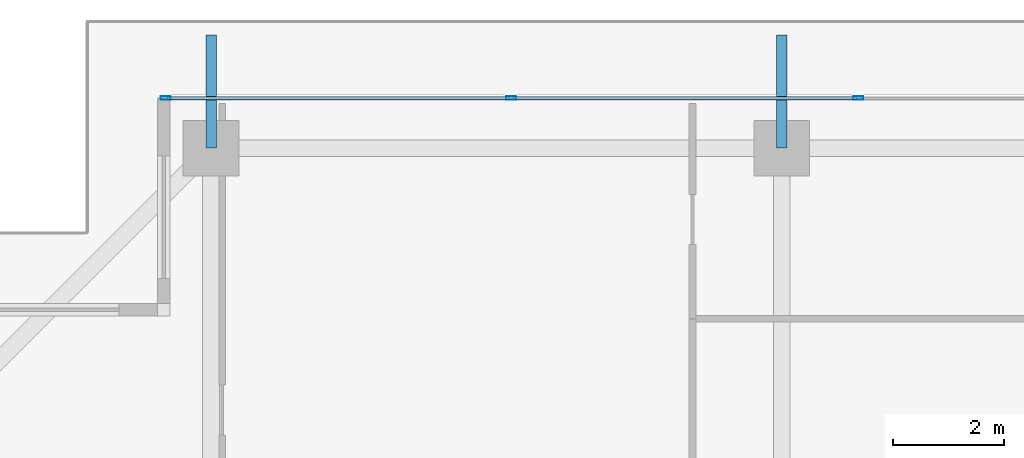
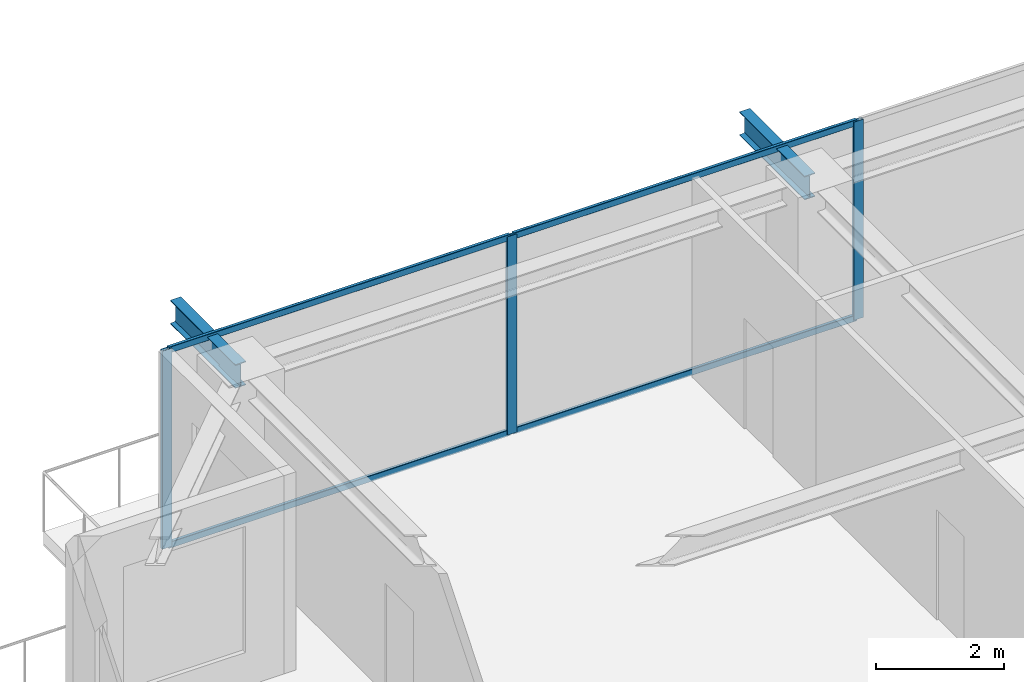
# One storey, part 23 of 42: 7 members, 2 beams, 1 element without a shape of its own.
"""IFC4 building model written with IfcOpenShell, lengths in metres."""

from ifc_helpers import new_model, si_unit, direction, frame, origin, origin_2d, place, context, subcontext, project, spatial, hollow_rectangle, i_section, extrude, source, transform, mapped, material, layer, layer_set, material_profile, profile_set, type_object, element, aggregate, save


model = new_model("IFC4")

# Units and contexts
model_context = context("Model", 3, precision=1e-05, world=origin(), true_north=direction((0.0, 1.0)))
body_context = subcontext(model_context, "Body", "Model", "MODEL_VIEW")
ifc_project = project(units=[si_unit("LENGTHUNIT", "METRE"), si_unit("AREAUNIT", "SQUARE_METRE"), si_unit("VOLUMEUNIT", "CUBIC_METRE"), si_unit("PLANEANGLEUNIT", "RADIAN"), si_unit("MASSUNIT", "GRAM", prefix="KILO")], contexts=[model_context])

# Site, building, storey
site_placement = place(None, origin())
site = spatial("IfcSite", under=ifc_project, at=site_placement, CompositionType="ELEMENT")
building_placement = place(site_placement, origin())
building = spatial("IfcBuilding", under=site, at=building_placement, Name="Serunith Strait Residences", CompositionType="ELEMENT")
storey_placement = place(building_placement, frame((0.0, 0.0, 297.5)))
storey = spatial("IfcBuildingStorey", under=building, at=storey_placement, Name="L74", CompositionType="ELEMENT", Elevation=297.5)

# Beams
ifc_material_1 = material(Name="Steel S355J2", Category="steel")
ifc_material_profile_1 = material_profile(ifc_material_1, i_section(OverallWidth=0.18994140625, OverallDepth=0.449951171875, WebThickness=0.009521484375, FlangeThickness=0.0146484375, FilletRadius=0.02099609375, at=origin_2d()), Name="IPE 450")
ifc_profile_set_1 = profile_set([ifc_material_profile_1], Name="Steel S355J2")
beam_type = type_object("IfcBeamType", Name="BM-IPE450", PredefinedType="JOIST", material=ifc_profile_set_1)
shared_shape_1 = source(origin(), body_context, "Body", "SweptSolid", [
    extrude(i_section(OverallWidth=0.18994140625, OverallDepth=0.449951171875, WebThickness=0.009521484375, FlangeThickness=0.0146484375, FilletRadius=0.02099609375, at=origin_2d()), origin(), (0.0, 0.0, 1.0), 2.02978515625),
])
for number, where, z_axis, x_axis, name in (
    (1, (17.64990234375, 47.10009765625, 3.531982421875), (0.0, 1.0, 0.0), (-1.0, 0.0, 0.0), "L75 Cantilevered Balcony Rib TC-N1"),
    (2, (27.89990234375, 47.10009765625, 3.531982421875), (0.0, 1.0, 0.0), (-1.0, 0.0, 0.0), "L75 Cantilevered Balcony Rib TC-N2"),
):
    element("IfcBeam", number, at=place(storey_placement, frame(where, z_axis=z_axis, x_axis=x_axis)), inside=storey, type_object=beam_type, Name=name, PredefinedType="JOIST", context=body_context, shape_type="MappedRepresentation", body=[
        mapped(shared_shape_1, transform((0.0, 0.0, 0.0), scale=1.0)),
    ])

# Curtain wall, members
ifc_material_2 = material(Name="Brushed Stainless-Silver Aluminium", Category="aluminium")
ifc_layer = layer(ifc_material_2, 0.199951171875, Name="Brushed Stainless-Silver Aluminium")
ifc_layer_set = layer_set([ifc_layer], Name="Brushed Stainless-Silver Aluminium")
curtain_wall_type = type_object("IfcCurtainWallType", Name="CW-SYS5", PredefinedType="NOTDEFINED", material=ifc_layer_set)
curtain_wall_placement = place(storey_placement, origin())
curtain_wall = element("IfcCurtainWall", 3, at=curtain_wall_placement, inside=storey, type_object=curtain_wall_type, Name="L74 N Unitised Fritted Curtain Wall", PredefinedType="NOTDEFINED")
ifc_material_profile_2 = material_profile(ifc_material_2, hollow_rectangle(XDim=0.06005859375, YDim=0.1201171875, WallThickness=0.00341796875, InnerFilletRadius=0.00537109375, OuterFilletRadius=0.0087890625, at=origin_2d()), Name="ALU 120x60x3.5")
ifc_profile_set_2 = profile_set([ifc_material_profile_2], Name="Brushed Stainless-Silver Aluminium")
member_type_1 = type_object("IfcMemberType", Name="CW-SYS5-TRAN", PredefinedType="USERDEFINED", material=ifc_profile_set_2)
shared_shape_2 = source(origin(), body_context, "Body", "SweptSolid", [
    extrude(hollow_rectangle(XDim=0.06005859375, YDim=0.1201171875, WallThickness=0.00341796875, InnerFilletRadius=0.00537109375, OuterFilletRadius=0.0087890625, at=origin_2d()), origin(), (0.0, 0.0, 1.0), 6.142578125),
])
member_1_placement = place(storey_placement, frame((23.007568359375, 48.0, 0.030029296875), z_axis=(-1.0, 0.0, 0.0), x_axis=(0.0, -1.0, 0.0)))
member_1 = element("IfcMember", 4, at=member_1_placement, type_object=member_type_1, Name="CW-5 transom 5.1", ObjectType="TRANSOM", PredefinedType="USERDEFINED", context=body_context, shape_type="MappedRepresentation", body=[
    mapped(shared_shape_2, transform((0.0, 0.0, 0.0), scale=1.0)),
])
member_2_placement = place(storey_placement, frame((23.007568359375, 48.0, 3.7451171875), z_axis=(-1.0, 0.0, 0.0), x_axis=(0.0, -1.0, 0.0)))
member_2 = element("IfcMember", 5, at=member_2_placement, type_object=member_type_1, Name="CW-5 transom 5.2", ObjectType="TRANSOM", PredefinedType="USERDEFINED", context=body_context, shape_type="MappedRepresentation", body=[
    mapped(shared_shape_2, transform((0.0, 0.0, 0.0), scale=1.0)),
])
shared_shape_3 = source(origin(), body_context, "Body", "SweptSolid", [
    extrude(hollow_rectangle(XDim=0.06005859375, YDim=0.1201171875, WallThickness=0.00341796875, InnerFilletRadius=0.00537109375, OuterFilletRadius=0.0087890625, at=origin_2d()), origin(), (0.0, 0.0, 1.0), 6.175048828125),
])
member_3_placement = place(storey_placement, frame((29.24755859375, 48.0, 0.030029296875), z_axis=(-1.0, 0.0, 0.0), x_axis=(0.0, -1.0, 0.0)))
member_3 = element("IfcMember", 6, at=member_3_placement, type_object=member_type_1, Name="CW-5 transom 4.1", ObjectType="TRANSOM", PredefinedType="USERDEFINED", context=body_context, shape_type="MappedRepresentation", body=[
    mapped(shared_shape_3, transform((0.0, 0.0, 0.0), scale=1.0)),
])
member_4_placement = place(storey_placement, frame((29.24755859375, 48.0, 3.7451171875), z_axis=(-1.0, 0.0, 0.0), x_axis=(0.0, -1.0, 0.0)))
member_4 = element("IfcMember", 7, at=member_4_placement, type_object=member_type_1, Name="CW-5 transom 4.2", ObjectType="TRANSOM", PredefinedType="USERDEFINED", context=body_context, shape_type="MappedRepresentation", body=[
    mapped(shared_shape_3, transform((0.0, 0.0, 0.0), scale=1.0)),
])
ifc_material_profile_3 = material_profile(ifc_material_2, hollow_rectangle(XDim=0.06494140625, YDim=0.179931640625, WallThickness=0.00341796875, InnerFilletRadius=0.00537109375, OuterFilletRadius=0.0087890625, at=origin_2d()), Name="ALU 180x65x3.5")
ifc_profile_set_3 = profile_set([ifc_material_profile_3], Name="Brushed Stainless-Silver Aluminium")
member_type_2 = type_object("IfcMemberType", Name="CW-SYS5-MULL", PredefinedType="MULLION", material=ifc_profile_set_3)
shared_shape_4 = source(origin(), body_context, "Body", "SweptSolid", [
    extrude(hollow_rectangle(XDim=0.06494140625, YDim=0.179931640625, WallThickness=0.00341796875, InnerFilletRadius=0.00537109375, OuterFilletRadius=0.0087890625, at=origin_2d()), origin(), (0.0, 0.0, 1.0), 3.77490234375),
])
member_5_placement = place(storey_placement, frame((29.280029296875, 48.0, 0.0), z_axis=(0.0, 0.0, 1.0), x_axis=(0.0, -1.0, 0.0)))
member_5 = element("IfcMember", 8, at=member_5_placement, type_object=member_type_2, Name="CW-5 mullion 4", PredefinedType="MULLION", context=body_context, shape_type="MappedRepresentation", body=[
    mapped(shared_shape_4, transform((0.0, 0.0, 0.0), scale=1.0)),
])
member_6_placement = place(storey_placement, frame((23.0400390625, 48.0, 0.0), z_axis=(0.0, 0.0, 1.0), x_axis=(0.0, -1.0, 0.0)))
member_6 = element("IfcMember", 9, at=member_6_placement, type_object=member_type_2, Name="CW-5 mullion 5", PredefinedType="MULLION", context=body_context, shape_type="MappedRepresentation", body=[
    mapped(shared_shape_4, transform((0.0, 0.0, 0.0), scale=1.0)),
])
member_7_placement = place(storey_placement, frame((16.83251953125, 48.0, 0.0), z_axis=(0.0, 0.0, 1.0), x_axis=(0.0, -1.0, 0.0)))
member_7 = element("IfcMember", 10, at=member_7_placement, type_object=member_type_2, Name="CW-5 mullion 6", PredefinedType="MULLION", context=body_context, shape_type="MappedRepresentation", body=[
    mapped(shared_shape_4, transform((0.0, 0.0, 0.0), scale=1.0)),
])
aggregate(curtain_wall, [member_5, member_6, member_7, member_3, member_4, member_1, member_2])

save(model, "model.ifc")
